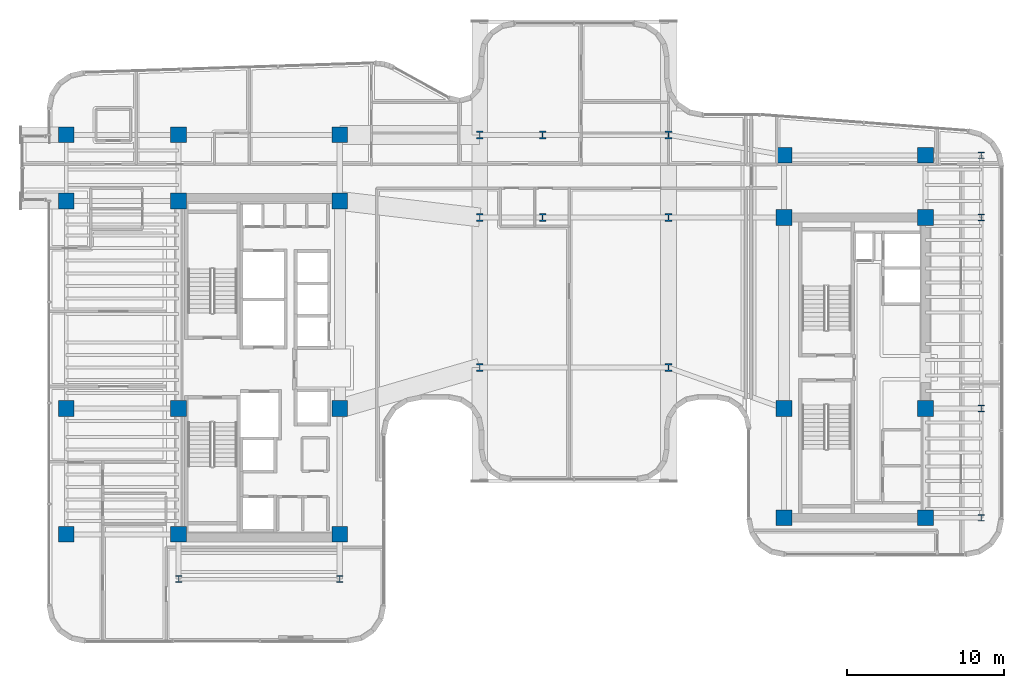
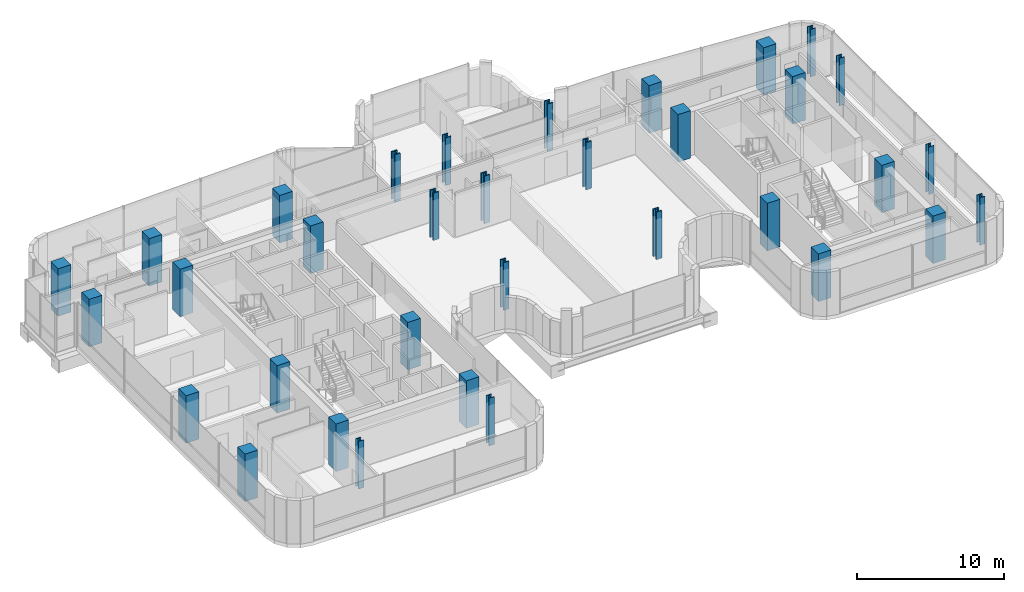
# One storey, part 1 of 39: 34 columns.
"""IFC4 building model written with IfcOpenShell, lengths in metres."""

from ifc_helpers import new_model, si_unit, direction, frame, origin, origin_2d, place, context, subcontext, project, spatial, rectangle, i_section, extrude, source, transform, mapped, material, material_profile, profile_set, type_object, element, save


model = new_model("IFC4")

# Units and contexts
model_context = context("Model", 3, precision=1e-05, world=origin(), true_north=direction((0.0, 1.0)))
body_context = subcontext(model_context, "Body", "Model", "MODEL_VIEW")
ifc_project = project(units=[si_unit("LENGTHUNIT", "METRE"), si_unit("AREAUNIT", "SQUARE_METRE"), si_unit("VOLUMEUNIT", "CUBIC_METRE"), si_unit("PLANEANGLEUNIT", "RADIAN"), si_unit("MASSUNIT", "GRAM", prefix="KILO")], contexts=[model_context])

# Site, building, storey
site_placement = place(None, origin())
site = spatial("IfcSite", under=ifc_project, at=site_placement, CompositionType="ELEMENT")
building_placement = place(site_placement, origin())
building = spatial("IfcBuilding", under=site, at=building_placement, Name="Valdorenza Pilgrim Sanctuary Tower", CompositionType="ELEMENT")
storey_placement = place(building_placement, frame((0.0, 0.0, 184.449951171875)))
storey = spatial("IfcBuildingStorey", under=building, at=storey_placement, Name="L47", CompositionType="ELEMENT", Elevation=184.449951171875)

# Columns
ifc_material_1 = material(Name="Concrete C50/60", Category="concrete")
ifc_material_profile_1 = material_profile(ifc_material_1, rectangle(XDim=1.0, YDim=1.0, at=origin_2d()), Name="RC 1000x1000")
ifc_profile_set_1 = profile_set([ifc_material_profile_1], Name="Concrete C50/60")
column_type_1 = type_object("IfcColumnType", Name="COL-Z3-1000", PredefinedType="COLUMN", material=ifc_profile_set_1)
shared_shape_1 = source(origin(), body_context, "Body", "SweptSolid", [
    extrude(rectangle(XDim=1.0, YDim=1.0, at=origin_2d()), origin(), (0.0, 0.0, 1.0), 3.949951171875),
])
for number, where, z_axis, x_axis, name in (
    (1, (-29.800048828125, -10.60009765625, 0.0), (0.0, 0.0, 1.0), (1.0, 0.0, 0.0), "L47 Perimeter Column WA-W-S1"),
    (2, (-22.64990234375, -10.60009765625, 0.0), (0.0, 0.0, 1.0), (1.0, 0.0, 0.0), "L47 Column CA-W-S1"),
    (3, (-12.39990234375, -10.60009765625, 0.0), (0.0, 0.0, 1.0), (1.0, 0.0, 0.0), "L47 Column CA-E-S1"),
    (4, (-29.800048828125, -2.60009765625, 0.0), (0.0, 0.0, 1.0), (1.0, 0.0, 0.0), "L47 Perimeter Column WA-W-M0"),
    (5, (-22.64990234375, -2.60009765625, 0.0), (0.0, 0.0, 1.0), (1.0, 0.0, 0.0), "L47 Column CA-W-M0"),
    (6, (-12.39990234375, -2.60009765625, 0.0), (0.0, 0.0, 1.0), (1.0, 0.0, 0.0), "L47 Column CA-E-M0"),
    (7, (-29.800048828125, 10.60009765625, 0.0), (0.0, 0.0, 1.0), (1.0, 0.0, 0.0), "L47 Perimeter Column WA-W-N1"),
    (8, (-22.64990234375, 10.60009765625, 0.0), (0.0, 0.0, 1.0), (1.0, 0.0, 0.0), "L47 Column CA-W-N1"),
    (9, (-12.39990234375, 10.60009765625, 0.0), (0.0, 0.0, 1.0), (1.0, 0.0, 0.0), "L47 Column CA-E-N1"),
    (10, (-29.800048828125, 14.800048828125, 0.0), (0.0, 0.0, 1.0), (1.0, 0.0, 0.0), "L47 Perimeter Column WA-W-N2"),
    (11, (-22.64990234375, 14.800048828125, 0.0), (0.0, 0.0, 1.0), (1.0, 0.0, 0.0), "L47 Column CA-W-N2"),
    (12, (-12.39990234375, 14.800048828125, 0.0), (0.0, 0.0, 1.0), (1.0, 0.0, 0.0), "L47 Column CA-E-N2"),
    (13, (15.85009765625, -9.550048828125, 0.0), (0.0, 0.0, 1.0), (1.0, 0.0, 0.0), "L47 Column CB-W-S1"),
    (14, (24.85009765625, -9.550048828125, 0.0), (0.0, 0.0, 1.0), (1.0, 0.0, 0.0), "L47 Column CB-E-S1"),
    (15, (15.85009765625, -2.60009765625, 0.0), (0.0, 0.0, 1.0), (1.0, 0.0, 0.0), "L47 Column CB-W-M0"),
    (16, (24.85009765625, -2.60009765625, 0.0), (0.0, 0.0, 1.0), (1.0, 0.0, 0.0), "L47 Column CB-E-M0"),
    (17, (15.85009765625, 9.550048828125, 0.0), (0.0, 0.0, 1.0), (1.0, 0.0, 0.0), "L47 Column CB-W-N1"),
    (18, (24.85009765625, 9.550048828125, 0.0), (0.0, 0.0, 1.0), (1.0, 0.0, 0.0), "L47 Column CB-E-N1"),
    (19, (15.85009765625, 13.5, 0.0), (0.0, 0.0, 1.0), (1.0, 0.0, 0.0), "L47 Column CB-W-N2"),
    (20, (24.85009765625, 13.5, 0.0), (0.0, 0.0, 1.0), (1.0, 0.0, 0.0), "L47 Column CB-E-N2"),
):
    element("IfcColumn", number, at=place(storey_placement, frame(where, z_axis=z_axis, x_axis=x_axis)), inside=storey, type_object=column_type_1, Name=name, PredefinedType="COLUMN", context=body_context, shape_type="MappedRepresentation", body=[
        mapped(shared_shape_1, transform((0.0, 0.0, 0.0), x_axis=(1.0, 0.0, 0.0), y_axis=(0.0, 1.0, 0.0), z_axis=(0.0, 0.0, 1.0), scale=1.0)),
    ])
ifc_material_2 = material(Name="Steel ASTM A992 Grade 50", Category="steel")
ifc_material_profile_2 = material_profile(ifc_material_2, i_section(OverallWidth=0.412109375, OverallDepth=0.43505859375, WebThickness=0.035888671875, FlangeThickness=0.057373046875, at=origin_2d()), Name="W14X311")
ifc_profile_set_2 = profile_set([ifc_material_profile_2], Name="Steel ASTM A992 Grade 50")
column_type_2 = type_object("IfcColumnType", Name="COL-STL-W311", PredefinedType="COLUMN", material=ifc_profile_set_2)
shared_shape_2 = source(origin(), body_context, "Body", "SweptSolid", [
    extrude(i_section(OverallWidth=0.412109375, OverallDepth=0.43505859375, WebThickness=0.035888671875, FlangeThickness=0.057373046875, at=origin_2d()), origin(), (0.0, 0.0, 1.0), 3.949951171875),
])
for number, where, z_axis, x_axis, name in (
    (21, (-22.64990234375, -13.449951171875, 0.0), (0.0, 0.0, 1.0), (1.0, 0.0, 0.0), "L47 Column WA-S-W"),
    (22, (-12.39990234375, -13.449951171875, 0.0), (0.0, 0.0, 1.0), (1.0, 0.0, 0.0), "L47 Column WA-S-E"),
    (23, (28.39990234375, -9.550048828125, 0.0), (0.0, 0.0, 1.0), (1.0, 0.0, 0.0), "L47 Perimeter Column WB-E-S1"),
    (24, (28.39990234375, -2.60009765625, 0.0), (0.0, 0.0, 1.0), (1.0, 0.0, 0.0), "L47 Perimeter Column WB-E-M0"),
    (25, (28.39990234375, 9.550048828125, 0.0), (0.0, 0.0, 1.0), (1.0, 0.0, 0.0), "L47 Perimeter Column WB-E-N1"),
    (26, (28.39990234375, 13.5, 0.0), (0.0, 0.0, 1.0), (1.0, 0.0, 0.0), "L47 Perimeter Column WB-E-N2"),
):
    element("IfcColumn", number, at=place(storey_placement, frame(where, z_axis=z_axis, x_axis=x_axis)), inside=storey, type_object=column_type_2, Name=name, PredefinedType="COLUMN", context=body_context, shape_type="MappedRepresentation", body=[
        mapped(shared_shape_2, transform((0.0, 0.0, 0.0), x_axis=(1.0, 0.0, 0.0), y_axis=(0.0, 1.0, 0.0), z_axis=(0.0, 0.0, 1.0), scale=1.0)),
    ])
ifc_material_profile_3 = material_profile(ifc_material_2, i_section(OverallWidth=0.431884765625, OverallDepth=0.498046875, WebThickness=0.0556640625, FlangeThickness=0.0888671875, at=origin_2d()), Name="W14X500")
ifc_profile_set_3 = profile_set([ifc_material_profile_3], Name="Steel ASTM A992 Grade 50")
column_type_3 = type_object("IfcColumnType", Name="COL-STL-W500", PredefinedType="COLUMN", material=ifc_profile_set_3)
shared_shape_3 = source(origin(), body_context, "Body", "SweptSolid", [
    extrude(i_section(OverallWidth=0.431884765625, OverallDepth=0.498046875, WebThickness=0.0556640625, FlangeThickness=0.0888671875, at=origin_2d()), origin(), (0.0, 0.0, 1.0), 3.949951171875),
])
for number, where, z_axis, x_axis, name in (
    (27, (-3.5, 0.0, 0.0), (0.0, 0.0, 1.0), (1.0, 0.0, 0.0), "L47 Column PRY-W0"),
    (28, (-3.5, 9.550048828125, 0.0), (0.0, 0.0, 1.0), (1.0, 0.0, 0.0), "L47 Column PRY-W1"),
    (29, (-3.5, 14.800048828125, 0.0), (0.0, 0.0, 1.0), (1.0, 0.0, 0.0), "L47 Column PRY-W2"),
    (30, (8.5, 0.0, 0.0), (0.0, 0.0, 1.0), (1.0, 0.0, 0.0), "L47 Column PRY-E0"),
    (31, (8.5, 9.550048828125, 0.0), (0.0, 0.0, 1.0), (1.0, 0.0, 0.0), "L47 Column PRY-E1"),
    (32, (8.5, 14.800048828125, 0.0), (0.0, 0.0, 1.0), (1.0, 0.0, 0.0), "L47 Column PRY-E2"),
    (33, (0.5, 9.550048828125, 0.0), (0.0, 0.0, 1.0), (1.0, 0.0, 0.0), "L47 Column PRY-TB1"),
    (34, (0.5, 14.800048828125, 0.0), (0.0, 0.0, 1.0), (1.0, 0.0, 0.0), "L47 Column PRY-TB2"),
):
    element("IfcColumn", number, at=place(storey_placement, frame(where, z_axis=z_axis, x_axis=x_axis)), inside=storey, type_object=column_type_3, Name=name, PredefinedType="COLUMN", context=body_context, shape_type="MappedRepresentation", body=[
        mapped(shared_shape_3, transform((0.0, 0.0, 0.0), x_axis=(1.0, 0.0, 0.0), y_axis=(0.0, 1.0, 0.0), z_axis=(0.0, 0.0, 1.0), scale=1.0)),
    ])

save(model, "model.ifc")
